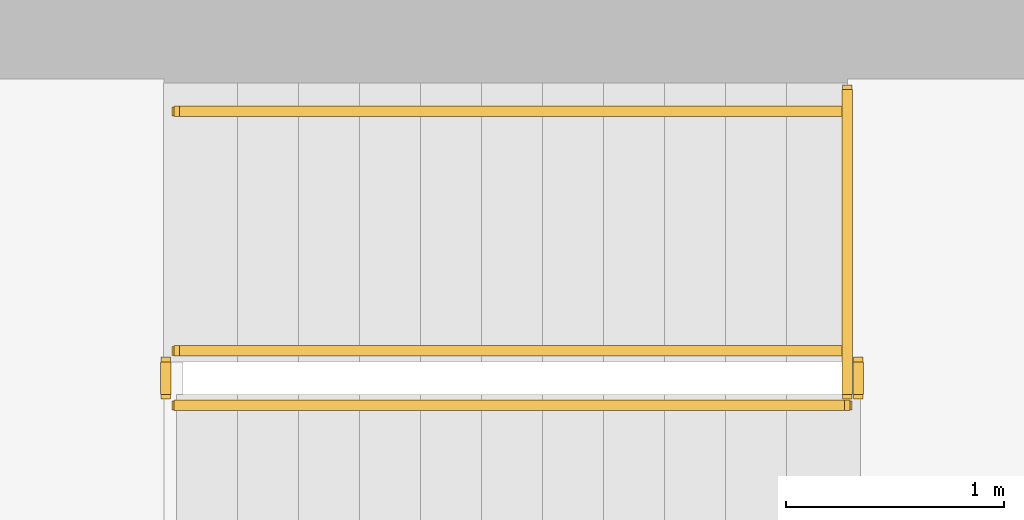
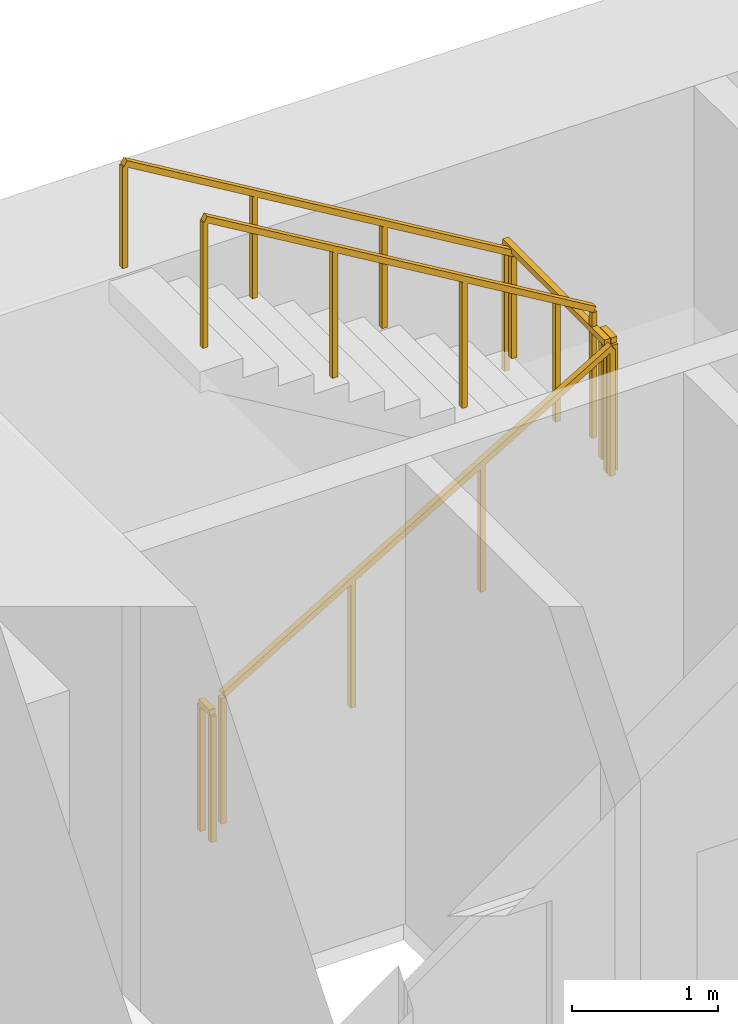
# One storey, part 15 of 16: 6 railings.
"""IFC4 building model written with IfcOpenShell, lengths in metres."""

from ifc_helpers import new_model, si_unit, direction, frame, origin, origin_2d, place, context, subcontext, project, spatial, rectangle, extrude, material, type_object, element, save


model = new_model("IFC4")

# Units and contexts
model_context = context("Model", 3, precision=1e-05, world=origin(), true_north=direction((0.0, 1.0)))
body_context = subcontext(model_context, "Body", "Model", "MODEL_VIEW")
ifc_project = project(units=[si_unit("LENGTHUNIT", "METRE"), si_unit("AREAUNIT", "SQUARE_METRE"), si_unit("VOLUMEUNIT", "CUBIC_METRE"), si_unit("PLANEANGLEUNIT", "RADIAN"), si_unit("MASSUNIT", "GRAM", prefix="KILO")], contexts=[model_context])

# Site, building, storey
site_placement = place(None, origin())
site = spatial("IfcSite", under=ifc_project, at=site_placement, CompositionType="ELEMENT")
building_placement = place(site_placement, origin())
building = spatial("IfcBuilding", under=site, at=building_placement, Name="Sennacour Bend Tower", CompositionType="ELEMENT")
storey_placement = place(building_placement, frame((0.0, 0.0, 95.0)))
storey = spatial("IfcBuildingStorey", under=building, at=storey_placement, Name="L21", CompositionType="ELEMENT", Elevation=95.0)

# Railings
ifc_material = material(Name="Stainless steel", Category="steel")
railing_type_1 = type_object("IfcRailingType", Name="RL-GUARD-1100", PredefinedType="GUARDRAIL", material=ifc_material)
railing_1_placement = place(storey_placement, frame((56.699951171875, 19.85009765625, 0.166748046875)))
element("IfcRailing", 1, at=railing_1_placement, inside=storey, type_object=railing_type_1, Name="L21 SA2 stair guard 1", PredefinedType="GUARDRAIL", context=body_context, shape_type="SweptSolid", body=[
    extrude(rectangle(XDim=0.048095703125, YDim=0.048095703125, at=origin_2d()), frame((0.0, 0.0, 1.076171875), z_axis=(0.859308565015, 0.0, 0.511457515432), x_axis=(0.0, 1.0, 0.0)), (0.0, 0.0, 1.0), 3.58447265625),
    extrude(rectangle(XDim=0.0419921875, YDim=0.0419921875, at=origin_2d()), origin(), (0.0, 0.0, 1.0), 1.052001953125),
    extrude(rectangle(XDim=0.0419921875, YDim=0.0419921875, at=origin_2d()), frame((1.026611328125, 0.0, 0.611083984375)), (0.0, 0.0, 1.0), 1.052001953125),
    extrude(rectangle(XDim=0.0419921875, YDim=0.0419921875, at=origin_2d()), frame((2.053466796875, 0.0, 1.22216796875)), (0.0, 0.0, 1.0), 1.052001953125),
    extrude(rectangle(XDim=0.0419921875, YDim=0.0419921875, at=origin_2d()), frame((3.080078125, 0.0, 1.833251953125)), (0.0, 0.0, 1.0), 1.052001953125),
])
railing_2_placement = place(storey_placement, frame((59.830078125, 19.89990234375, 2.0)))
element("IfcRailing", 2, at=railing_2_placement, inside=storey, type_object=railing_type_1, Name="L21 SA2 stair guard 2", PredefinedType="GUARDRAIL", context=body_context, shape_type="SweptSolid", body=[
    extrude(rectangle(XDim=0.048095703125, YDim=0.048095703125, at=origin_2d()), frame((0.0, 0.0, 1.076171875), z_axis=(0.0, 1.0, 0.0), x_axis=(-1.0, 0.0, 0.0)), (0.0, 0.0, 1.0), 0.150146484375),
    extrude(rectangle(XDim=0.0419921875, YDim=0.0419921875, at=origin_2d()), origin(), (0.0, 0.0, 1.0), 1.052001953125),
    extrude(rectangle(XDim=0.0419921875, YDim=0.0419921875, at=origin_2d()), frame((0.0, 0.150146484375, 0.0)), (0.0, 0.0, 1.0), 1.052001953125),
])
railing_3_placement = place(storey_placement, frame((59.780029296875, 20.10009765625, 2.166748046875)))
element("IfcRailing", 3, at=railing_3_placement, inside=storey, type_object=railing_type_1, Name="L21 SA2 stair guard 4", PredefinedType="GUARDRAIL", context=body_context, shape_type="SweptSolid", body=[
    extrude(rectangle(XDim=0.048095703125, YDim=0.048095703125, at=origin_2d()), frame((0.0, 0.0, 1.076171875), z_axis=(-0.859308565015, 0.0, 0.511457515432), x_axis=(0.0, -1.0, 0.0)), (0.0, 0.0, 1.0), 3.58447265625),
    extrude(rectangle(XDim=0.0419921875, YDim=0.0419921875, at=origin_2d()), origin(), (0.0, 0.0, 1.0), 1.052001953125),
    extrude(rectangle(XDim=0.0419921875, YDim=0.0419921875, at=origin_2d()), frame((-1.026611328125, 0.0, 0.611083984375)), (0.0, 0.0, 1.0), 1.052001953125),
    extrude(rectangle(XDim=0.0419921875, YDim=0.0419921875, at=origin_2d()), frame((-2.053466796875, 0.0, 1.22216796875)), (0.0, 0.0, 1.0), 1.052001953125),
    extrude(rectangle(XDim=0.0419921875, YDim=0.0419921875, at=origin_2d()), frame((-3.080078125, 0.0, 1.833251953125)), (0.0, 0.0, 1.0), 1.052001953125),
])
railing_4_placement = place(storey_placement, frame((56.64990234375, 19.89990234375, 0.0)))
element("IfcRailing", 4, at=railing_4_placement, inside=storey, type_object=railing_type_1, Name="L21 SA2 stair guard 5", PredefinedType="GUARDRAIL", context=body_context, shape_type="SweptSolid", body=[
    extrude(rectangle(XDim=0.048095703125, YDim=0.048095703125, at=origin_2d()), frame((0.0, 0.0, 1.076171875), z_axis=(0.0, 1.0, 0.0), x_axis=(-1.0, 0.0, 0.0)), (0.0, 0.0, 1.0), 0.150146484375),
    extrude(rectangle(XDim=0.0419921875, YDim=0.0419921875, at=origin_2d()), origin(), (0.0, 0.0, 1.0), 1.052001953125),
    extrude(rectangle(XDim=0.0419921875, YDim=0.0419921875, at=origin_2d()), frame((0.0, 0.150146484375, 0.0)), (0.0, 0.0, 1.0), 1.052001953125),
])
railing_5_placement = place(storey_placement, frame((59.780029296875, 19.89990234375, 2.0)))
element("IfcRailing", 5, at=railing_5_placement, inside=storey, type_object=railing_type_1, Name="L21 SA2 landing edge guard 34", PredefinedType="GUARDRAIL", context=body_context, shape_type="SweptSolid", body=[
    extrude(rectangle(XDim=0.048095703125, YDim=0.048095703125, at=origin_2d()), frame((0.0, 0.0, 1.076171875), z_axis=(0.0, 1.0, 0.0), x_axis=(-1.0, 0.0, 0.0)), (0.0, 0.0, 1.0), 1.400146484375),
    extrude(rectangle(XDim=0.0419921875, YDim=0.0419921875, at=origin_2d()), origin(), (0.0, 0.0, 1.0), 1.052001953125),
    extrude(rectangle(XDim=0.0419921875, YDim=0.0419921875, at=origin_2d()), frame((0.0, 0.7001953125, 0.0)), (0.0, 0.0, 1.0), 1.052001953125),
    extrude(rectangle(XDim=0.0419921875, YDim=0.0419921875, at=origin_2d()), frame((0.0, 1.400146484375, 0.0)), (0.0, 0.0, 1.0), 1.052001953125),
])
railing_type_2 = type_object("IfcRailingType", Name="RL-HANDRAIL-900", PredefinedType="HANDRAIL", material=ifc_material)
railing_6_placement = place(storey_placement, frame((59.780029296875, 21.199951171875, 2.166748046875)))
element("IfcRailing", 6, at=railing_6_placement, inside=storey, type_object=railing_type_2, Name="L21 SA2 stair handrail 2", PredefinedType="HANDRAIL", context=body_context, shape_type="SweptSolid", body=[
    extrude(rectangle(XDim=0.048095703125, YDim=0.048095703125, at=origin_2d()), frame((0.0, 0.0, 0.8759765625), z_axis=(-0.859308565015, 0.0, 0.511457515432), x_axis=(0.0, -1.0, 0.0)), (0.0, 0.0, 1.0), 3.58447265625),
    extrude(rectangle(XDim=0.0419921875, YDim=0.0419921875, at=origin_2d()), origin(), (0.0, 0.0, 1.0), 0.851806640625),
    extrude(rectangle(XDim=0.0419921875, YDim=0.0419921875, at=origin_2d()), frame((-1.026611328125, 0.0, 0.611083984375)), (0.0, 0.0, 1.0), 0.851806640625),
    extrude(rectangle(XDim=0.0419921875, YDim=0.0419921875, at=origin_2d()), frame((-2.053466796875, 0.0, 1.22216796875)), (0.0, 0.0, 1.0), 0.851806640625),
    extrude(rectangle(XDim=0.0419921875, YDim=0.0419921875, at=origin_2d()), frame((-3.080078125, 0.0, 1.833251953125)), (0.0, 0.0, 1.0), 0.851806640625),
])

save(model, "model.ifc")
